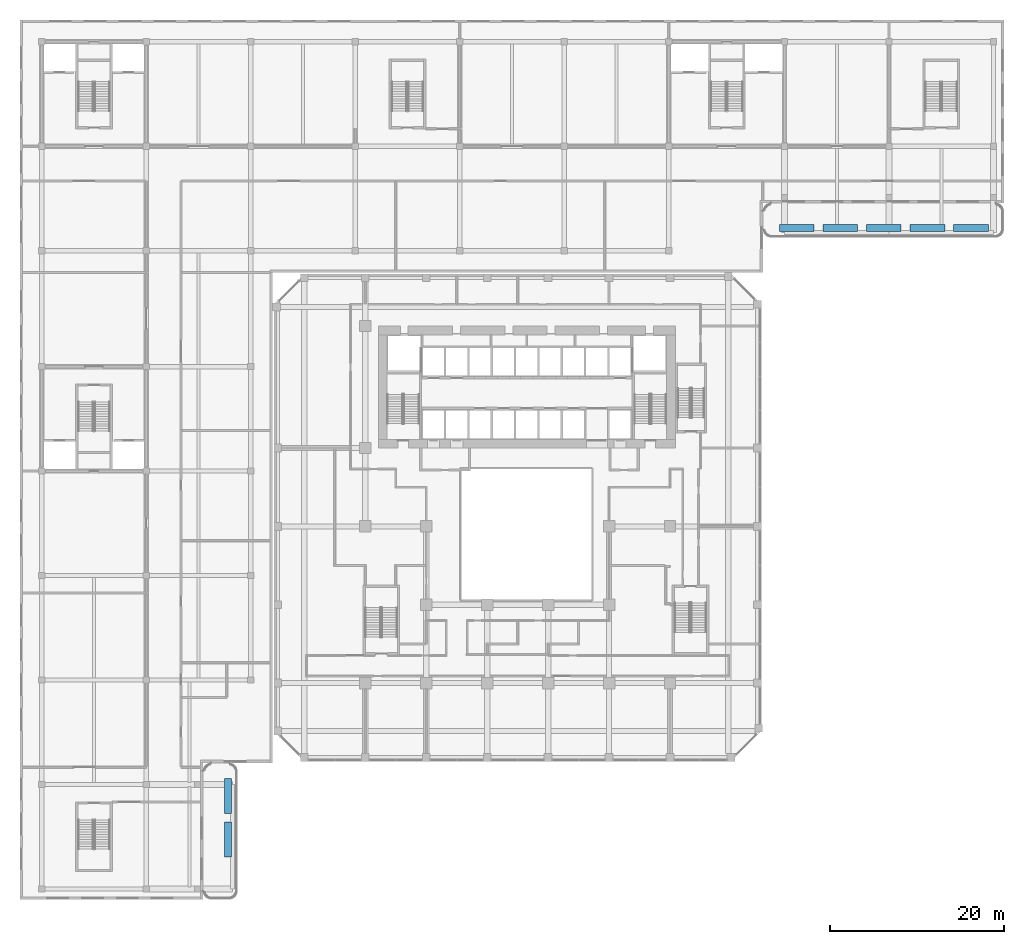
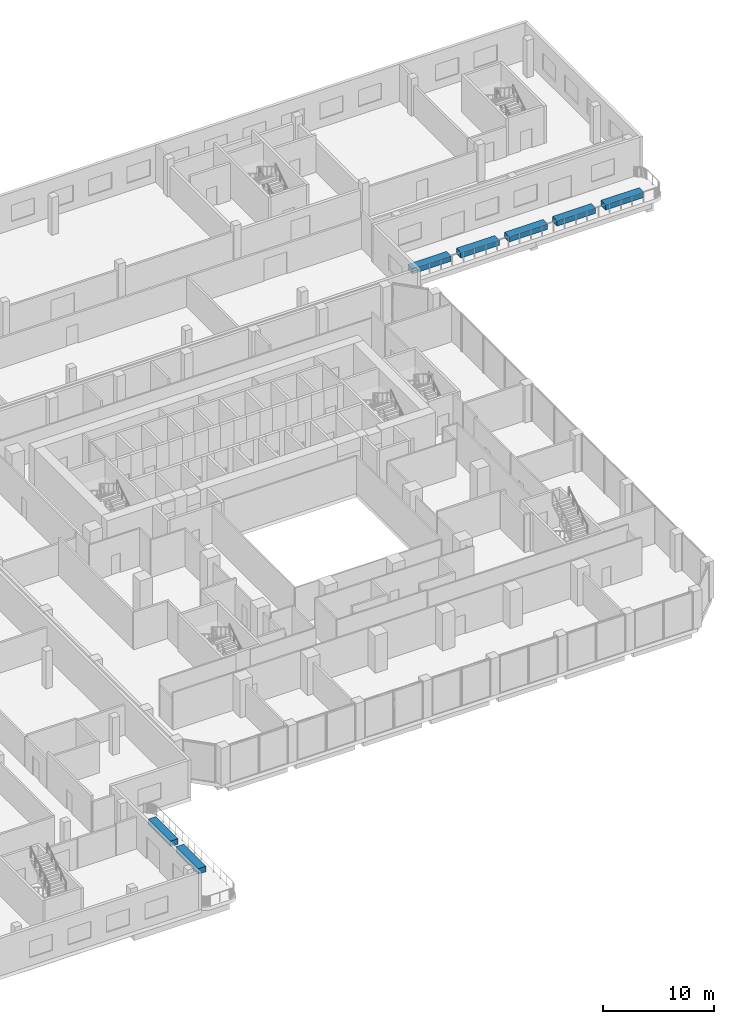
# One storey, part 27 of 36: 7 discrete accessories.
"""IFC4 building model written with IfcOpenShell, lengths in metres."""

from ifc_helpers import new_model, si_unit, direction, frame, origin, origin_2d, place, context, subcontext, project, spatial, rectangle, extrude, source, transform, mapped, material, layer, layer_set, type_object, element, save


model = new_model("IFC4")

# Units and contexts
model_context = context("Model", 3, precision=1e-05, world=origin(), true_north=direction((0.0, 1.0)))
body_context = subcontext(model_context, "Body", "Model", "MODEL_VIEW")
ifc_project = project(units=[si_unit("LENGTHUNIT", "METRE"), si_unit("AREAUNIT", "SQUARE_METRE"), si_unit("VOLUMEUNIT", "CUBIC_METRE"), si_unit("PLANEANGLEUNIT", "RADIAN"), si_unit("MASSUNIT", "GRAM", prefix="KILO")], contexts=[model_context])

# Site, building, storey
site_placement = place(None, origin())
site = spatial("IfcSite", under=ifc_project, at=site_placement, CompositionType="ELEMENT")
building_placement = place(site_placement, origin())
building = spatial("IfcBuilding", under=site, at=building_placement, Name="Kilnfold Tower and Market Hall", CompositionType="ELEMENT")
storey_placement = place(building_placement, frame((0.0, 0.0, 18.0)))
storey = spatial("IfcBuildingStorey", under=building, at=storey_placement, Name="L03", CompositionType="ELEMENT", Elevation=18.0)

# Discrete accessories
ifc_material = material(Name="Concrete C40/50", Category="concrete")
ifc_layer = layer(ifc_material, 0.800048828125)
ifc_layer_set = layer_set([ifc_layer], Name="Concrete C40/50")
discrete_accessory_type = type_object("IfcDiscreteAccessoryType", Name="PLANTER 800X600", PredefinedType="USERDEFINED", material=ifc_layer_set)
shared_shape = source(origin(), body_context, "Body", "SweptSolid", [
    extrude(rectangle(XDim=4.0, YDim=0.800048828125, at=origin_2d()), origin(), (0.0, 0.0, 1.0), 0.60009765625),
])
for number, where, z_axis, x_axis, name in (
    (1, (-33.25, -31.963623046875, 0.0), (0.0, 0.0, 1.0), (0.0, -1.0, 0.0), "Planter"),
    (2, (-33.25, -36.963623046875, 0.0), (0.0, 0.0, 1.0), (0.0, -1.0, 0.0), "Planter"),
    (3, (52.04638671875, 33.25, 0.0), (0.0, 0.0, 1.0), (-1.0, 0.0, 0.0), "Planter"),
    (4, (47.04638671875, 33.25, 0.0), (0.0, 0.0, 1.0), (-1.0, 0.0, 0.0), "Planter"),
    (5, (42.04638671875, 33.25, 0.0), (0.0, 0.0, 1.0), (-1.0, 0.0, 0.0), "Planter"),
    (6, (37.04638671875, 33.25, 0.0), (0.0, 0.0, 1.0), (-1.0, 0.0, 0.0), "Planter"),
    (7, (32.04638671875, 33.25, 0.0), (0.0, 0.0, 1.0), (-1.0, 0.0, 0.0), "Planter"),
):
    element("IfcDiscreteAccessory", number, at=place(storey_placement, frame(where, z_axis=z_axis, x_axis=x_axis)), inside=storey, type_object=discrete_accessory_type, Name=name, ObjectType="PLANTER", PredefinedType="USERDEFINED", context=body_context, shape_type="MappedRepresentation", body=[
        mapped(shared_shape, transform((0.0, 0.0, 0.0))),
    ])

save(model, "model.ifc")
